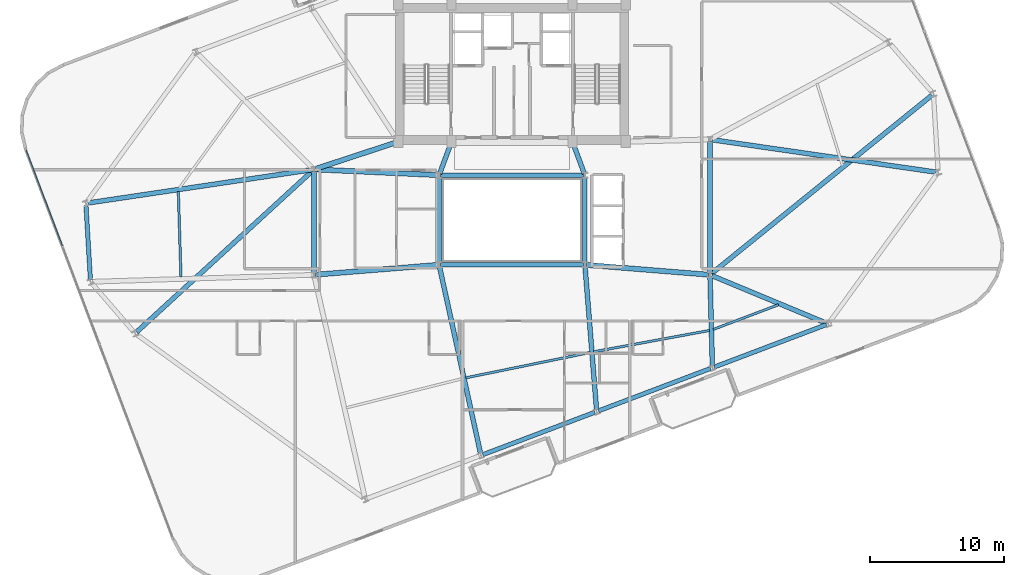
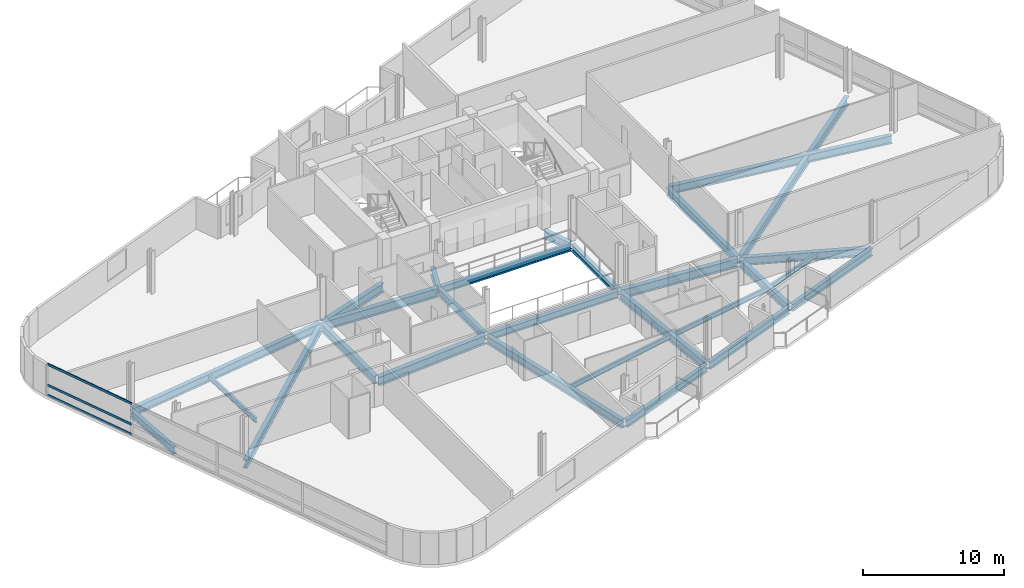
# One storey, part 7 of 19: 28 beams, 3 members, 1 element without a shape of its own.
"""IFC4 building model written with IfcOpenShell, lengths in metres."""

from ifc_helpers import new_model, si_unit, direction, frame, origin, origin_2d, place, context, subcontext, project, spatial, hollow_rectangle, i_section, extrude, material, layer, layer_set, material_profile, profile_set, type_object, element, aggregate, save


model = new_model("IFC4")

# Units and contexts
model_context = context("Model", 3, precision=1e-05, world=origin(), true_north=direction((0.0, 1.0)))
body_context = subcontext(model_context, "Body", "Model", "MODEL_VIEW")
ifc_project = project(units=[si_unit("LENGTHUNIT", "METRE"), si_unit("AREAUNIT", "SQUARE_METRE"), si_unit("VOLUMEUNIT", "CUBIC_METRE"), si_unit("PLANEANGLEUNIT", "RADIAN"), si_unit("MASSUNIT", "GRAM", prefix="KILO")], contexts=[model_context])

# Site, building, storey
site_placement = place(None, origin())
site = spatial("IfcSite", under=ifc_project, at=site_placement, CompositionType="ELEMENT")
building_placement = place(site_placement, origin())
building = spatial("IfcBuilding", under=site, at=building_placement, Name="Varnelok Gate Tower", CompositionType="ELEMENT")
storey_placement = place(building_placement, frame((0.0, 0.0, 231.199951171875)))
storey = spatial("IfcBuildingStorey", under=building, at=storey_placement, Name="L59", CompositionType="ELEMENT", Elevation=231.199951171875)

# Beams
ifc_material_1 = material(Name="Structural Steel ASTM A992 Grade 50", Category="steel")
ifc_material_profile_1 = material_profile(ifc_material_1, i_section(OverallWidth=0.180908203125, OverallDepth=0.4169921875, WebThickness=0.010986328125, FlangeThickness=0.018310546875, FilletRadius=0.013916015625, at=origin_2d()), Name="W16X57")
ifc_profile_set_1 = profile_set([ifc_material_profile_1], Name="Structural Steel ASTM A992 Grade 50")
beam_type_1 = type_object("IfcBeamType", Name="BM-JST-W16X57", PredefinedType="JOIST", material=ifc_profile_set_1)
beam_1_placement = place(storey_placement, frame((35.74951171875, 11.10107421875, -0.45849609375), z_axis=(0.979856858687, 0.199701117883, 0.0), x_axis=(-0.199701117883, 0.979856858687, 0.0)))
element("IfcBeam", 1, at=beam_1_placement, inside=storey, type_object=beam_type_1, Name="L59 Sector Floor Joist 2", PredefinedType="JOIST", context=body_context, shape_type="SweptSolid", body=[
    extrude(i_section(OverallWidth=0.180908203125, OverallDepth=0.4169921875, WebThickness=0.010986328125, FlangeThickness=0.018310546875, FilletRadius=0.013916015625, at=origin_2d()), origin(), (0.0, 0.0, 1.0), 9.478271484375),
])
beam_2_placement = place(storey_placement, frame((45.3115234375, 13.047119140625, -0.45849609375), z_axis=(0.983469046403, 0.181076323042, 0.0), x_axis=(-0.181076323042, 0.983469046403, 0.0)))
element("IfcBeam", 2, at=beam_2_placement, inside=storey, type_object=beam_type_1, Name="L59 Sector Floor Joist 3", PredefinedType="JOIST", context=body_context, shape_type="SweptSolid", body=[
    extrude(i_section(OverallWidth=0.180908203125, OverallDepth=0.4169921875, WebThickness=0.010986328125, FlangeThickness=0.018310546875, FilletRadius=0.013916015625, at=origin_2d()), origin(), (0.0, 0.0, 1.0), 8.80419921875),
])
beam_3_placement = place(storey_placement, frame((54.239013671875, 14.71630859375, -0.45849609375), z_axis=(0.935214325346, 0.354082145368, 0.0), x_axis=(-0.354082145368, 0.935214325346, 0.0)))
element("IfcBeam", 3, at=beam_3_placement, inside=storey, type_object=beam_type_1, Name="L59 Sector Floor Joist 4", PredefinedType="JOIST", context=body_context, shape_type="SweptSolid", body=[
    extrude(i_section(OverallWidth=0.180908203125, OverallDepth=0.4169921875, WebThickness=0.010986328125, FlangeThickness=0.018310546875, FilletRadius=0.013916015625, at=origin_2d()), origin(), (0.0, 0.0, 1.0), 5.2236328125),
])
beam_4_placement = place(storey_placement, frame((14.256591796875, 25.03271484375, -0.45849609375), z_axis=(0.031103851158, -0.99951615817, 0.0), x_axis=(0.99951615817, 0.031103851158, 0.0)))
element("IfcBeam", 4, at=beam_4_placement, inside=storey, type_object=beam_type_1, Name="L59 Sector Floor Joist 11", PredefinedType="JOIST", context=body_context, shape_type="SweptSolid", body=[
    extrude(i_section(OverallWidth=0.180908203125, OverallDepth=0.4169921875, WebThickness=0.010986328125, FlangeThickness=0.018310546875, FilletRadius=0.013916015625, at=origin_2d()), origin(), (0.0, 0.0, 1.0), 6.405029296875),
])
ifc_material_profile_2 = material_profile(ifc_material_1, i_section(OverallWidth=0.35498046875, OverallDepth=0.696044921875, WebThickness=0.015380859375, FlangeThickness=0.02490234375, FilletRadius=0.02001953125, at=origin_2d()), Name="W27X146")
ifc_profile_set_2 = profile_set([ifc_material_profile_2], Name="Structural Steel ASTM A992 Grade 50")
beam_type_2 = type_object("IfcBeamType", Name="BM-PRI-W27X146", PredefinedType="BEAM", material=ifc_profile_set_2)
for number, where, z_axis, x_axis, name in (
    (5, (33.791748046875, 26.362548828125, -0.597900390625), (0.348719329408, 0.937227202602, 0.0), (-0.937227202602, 0.348719329408, 0.0), "L59 Core-Atrium Spine Beam 12"),
    (6, (44.608154296875, 26.362548828125, -0.597900390625), (-0.348719329408, 0.937227202602, 0.0), (-0.937227202602, -0.348719329408, 0.0), "L59 Core-Atrium Spine Beam 13"),
):
    element("IfcBeam", number, at=place(storey_placement, frame(where, z_axis=z_axis, x_axis=x_axis)), inside=storey, type_object=beam_type_2, Name=name, PredefinedType="BEAM", context=body_context, shape_type="SweptSolid", body=[
        extrude(i_section(OverallWidth=0.35498046875, OverallDepth=0.696044921875, WebThickness=0.015380859375, FlangeThickness=0.02490234375, FilletRadius=0.02001953125, at=origin_2d()), origin(), (0.0, 0.0, 1.0), 2.42724609375),
    ])
beam_5_placement = place(storey_placement, frame((24.39990234375, 18.919921875, -0.597900390625), z_axis=(0.0, 1.0, 0.0), x_axis=(-1.0, 0.0, 0.0)))
element("IfcBeam", 7, at=beam_5_placement, inside=storey, type_object=beam_type_2, Name="L59 Core-Atrium Spine Beam 16", PredefinedType="BEAM", context=body_context, shape_type="SweptSolid", body=[
    extrude(i_section(OverallWidth=0.35498046875, OverallDepth=0.696044921875, WebThickness=0.015380859375, FlangeThickness=0.02490234375, FilletRadius=0.02001953125, at=origin_2d()), origin(), (0.0, 0.0, 1.0), 7.64013671875),
])
beam_6_placement = place(storey_placement, frame((54.0, 18.919921875, -0.597900390625), z_axis=(0.0, 1.0, 0.0), x_axis=(-1.0, 0.0, 0.0)))
element("IfcBeam", 8, at=beam_6_placement, inside=storey, type_object=beam_type_2, Name="L59 Core-Atrium Spine Beam 20", PredefinedType="BEAM", context=body_context, shape_type="SweptSolid", body=[
    extrude(i_section(OverallWidth=0.35498046875, OverallDepth=0.696044921875, WebThickness=0.015380859375, FlangeThickness=0.02490234375, FilletRadius=0.02001953125, at=origin_2d()), origin(), (0.0, 0.0, 1.0), 9.880126953125),
])
beam_7_placement = place(storey_placement, frame((33.7822265625, 19.403564453125, -0.597900390625), z_axis=(0.214566745256, -0.976709328219, 0.0), x_axis=(0.976709328219, 0.214566745256, 0.0)))
element("IfcBeam", 9, at=beam_7_placement, inside=storey, type_object=beam_type_2, Name="L59 Radial Floor Girder 2", PredefinedType="BEAM", context=body_context, shape_type="SweptSolid", body=[
    extrude(i_section(OverallWidth=0.35498046875, OverallDepth=0.696044921875, WebThickness=0.015380859375, FlangeThickness=0.02490234375, FilletRadius=0.02001953125, at=origin_2d()), origin(), (0.0, 0.0, 1.0), 14.28662109375),
])
beam_8_placement = place(storey_placement, frame((44.662109375, 19.400390625, -0.597900390625), z_axis=(0.079989916961, -0.996795672736, 0.0), x_axis=(0.996795672736, 0.079989916961, 0.0)))
element("IfcBeam", 10, at=beam_8_placement, inside=storey, type_object=beam_type_2, Name="L59 Radial Floor Girder 3", PredefinedType="BEAM", context=body_context, shape_type="SweptSolid", body=[
    extrude(i_section(OverallWidth=0.35498046875, OverallDepth=0.696044921875, WebThickness=0.015380859375, FlangeThickness=0.02490234375, FilletRadius=0.02001953125, at=origin_2d()), origin(), (0.0, 0.0, 1.0), 10.70703125),
])
beam_9_placement = place(storey_placement, frame((54.00390625, 18.650146484375, -0.597900390625), z_axis=(0.026105842948, -0.999659184404, 0.0), x_axis=(0.999659184404, 0.026105842948, 0.0)))
element("IfcBeam", 11, at=beam_9_placement, inside=storey, type_object=beam_type_2, Name="L59 Radial Floor Girder 4", PredefinedType="BEAM", context=body_context, shape_type="SweptSolid", body=[
    extrude(i_section(OverallWidth=0.35498046875, OverallDepth=0.696044921875, WebThickness=0.015380859375, FlangeThickness=0.02490234375, FilletRadius=0.02001953125, at=origin_2d()), origin(), (0.0, 0.0, 1.0), 6.649169921875),
])
beam_10_placement = place(storey_placement, frame((54.138427734375, 18.742431640625, -0.597900390625), z_axis=(0.923393134815, -0.383855595995, 0.0), x_axis=(0.383855595995, 0.923393134815, 0.0)))
element("IfcBeam", 12, at=beam_10_placement, inside=storey, type_object=beam_type_2, Name="L59 Radial Floor Girder 5", PredefinedType="BEAM", context=body_context, shape_type="SweptSolid", body=[
    extrude(i_section(OverallWidth=0.35498046875, OverallDepth=0.696044921875, WebThickness=0.015380859375, FlangeThickness=0.02490234375, FilletRadius=0.02001953125, at=origin_2d()), origin(), (0.0, 0.0, 1.0), 9.264892578125),
])
beam_11_placement = place(storey_placement, frame((54.1484375, 28.8984375, -0.597900390625), z_axis=(0.989703475153, -0.143132914699, 0.0), x_axis=(0.143132914699, 0.989703475153, 0.0)))
element("IfcBeam", 13, at=beam_11_placement, inside=storey, type_object=beam_type_2, Name="L59 Radial Floor Girder 6", PredefinedType="BEAM", context=body_context, shape_type="SweptSolid", body=[
    extrude(i_section(OverallWidth=0.35498046875, OverallDepth=0.696044921875, WebThickness=0.015380859375, FlangeThickness=0.02490234375, FilletRadius=0.02001953125, at=origin_2d()), origin(), (0.0, 0.0, 1.0), 16.932373046875),
])
beam_12_placement = place(storey_placement, frame((54.11669921875, 18.894287109375, -0.597900390625), z_axis=(0.777332597566, 0.629089844745, 0.0), x_axis=(-0.629089844745, 0.777332597566, 0.0)))
element("IfcBeam", 14, at=beam_12_placement, inside=storey, type_object=beam_type_2, Name="L59 Radial Floor Girder 7", PredefinedType="BEAM", context=body_context, shape_type="SweptSolid", body=[
    extrude(i_section(OverallWidth=0.35498046875, OverallDepth=0.696044921875, WebThickness=0.015380859375, FlangeThickness=0.02490234375, FilletRadius=0.02001953125, at=origin_2d()), origin(), (0.0, 0.0, 1.0), 21.190673828125),
])
beam_13_placement = place(storey_placement, frame((24.251708984375, 26.657958984375, -0.597900390625), z_axis=(-0.989147373927, -0.146926759485, 0.0), x_axis=(0.146926759485, -0.989147373927, 0.0)))
element("IfcBeam", 15, at=beam_13_placement, inside=storey, type_object=beam_type_2, Name="L59 Radial Floor Girder 14", PredefinedType="BEAM", context=body_context, shape_type="SweptSolid", body=[
    extrude(i_section(OverallWidth=0.35498046875, OverallDepth=0.696044921875, WebThickness=0.015380859375, FlangeThickness=0.02490234375, FilletRadius=0.02001953125, at=origin_2d()), origin(), (0.0, 0.0, 1.0), 16.942138671875),
])
beam_14_placement = place(storey_placement, frame((24.289306640625, 26.57861328125, -0.597900390625), z_axis=(-0.737119491435, -0.675762425226, 0.0), x_axis=(0.675762425226, -0.737119491435, 0.0)))
element("IfcBeam", 16, at=beam_14_placement, inside=storey, type_object=beam_type_2, Name="L59 Radial Floor Girder 16", PredefinedType="BEAM", context=body_context, shape_type="SweptSolid", body=[
    extrude(i_section(OverallWidth=0.35498046875, OverallDepth=0.696044921875, WebThickness=0.015380859375, FlangeThickness=0.02490234375, FilletRadius=0.02001953125, at=origin_2d()), origin(), (0.0, 0.0, 1.0), 17.841796875),
])
ifc_material_profile_3 = material_profile(ifc_material_1, i_section(OverallWidth=0.381103515625, OverallDepth=0.77294921875, WebThickness=0.0166015625, FlangeThickness=0.027099609375, FilletRadius=0.02197265625, at=origin_2d()), Name="W30X173")
ifc_profile_set_3 = profile_set([ifc_material_profile_3], Name="Structural Steel ASTM A992 Grade 50")
beam_type_3 = type_object("IfcBeamType", Name="BM-PRI-W30X173", PredefinedType="BEAM", material=ifc_profile_set_3)
beam_15_placement = place(storey_placement, frame((24.51953125, 18.8095703125, -0.636474609375), z_axis=(0.996799206292, 0.07994587128, 0.0), x_axis=(-0.07994587128, 0.996799206292, 0.0)))
element("IfcBeam", 17, at=beam_15_placement, inside=storey, type_object=beam_type_3, Name="L59 Core-Atrium Spine Beam 14", PredefinedType="BEAM", context=body_context, shape_type="SweptSolid", body=[
    extrude(i_section(OverallWidth=0.381103515625, OverallDepth=0.77294921875, WebThickness=0.0166015625, FlangeThickness=0.027099609375, FilletRadius=0.02197265625, at=origin_2d()), origin(), (0.0, 0.0, 1.0), 9.14013671875),
])
beam_16_placement = place(storey_placement, frame((24.52001953125, 26.674560546875, -0.636474609375), z_axis=(0.99894427814, -0.045938319209, 0.0), x_axis=(0.045938319209, 0.99894427814, 0.0)))
element("IfcBeam", 18, at=beam_16_placement, inside=storey, type_object=beam_type_3, Name="L59 Core-Atrium Spine Beam 15", PredefinedType="BEAM", context=body_context, shape_type="SweptSolid", body=[
    extrude(i_section(OverallWidth=0.381103515625, OverallDepth=0.77294921875, WebThickness=0.0166015625, FlangeThickness=0.027099609375, FilletRadius=0.02197265625, at=origin_2d()), origin(), (0.0, 0.0, 1.0), 9.11962890625),
])
beam_17_placement = place(storey_placement, frame((24.513916015625, 26.717529296875, -0.636474609375), z_axis=(0.950041943788, 0.312122259768, 0.0), x_axis=(-0.312122259768, 0.950041943788, 0.0)))
element("IfcBeam", 19, at=beam_17_placement, inside=storey, type_object=beam_type_3, Name="L59 Core-Atrium Spine Beam 17", PredefinedType="BEAM", context=body_context, shape_type="SweptSolid", body=[
    extrude(i_section(OverallWidth=0.381103515625, OverallDepth=0.77294921875, WebThickness=0.0166015625, FlangeThickness=0.027099609375, FilletRadius=0.02197265625, at=origin_2d()), origin(), (0.0, 0.0, 1.0), 6.391357421875),
])
beam_18_placement = place(storey_placement, frame((44.76953125, 19.540283203125, -0.636474609375), z_axis=(0.996799206292, -0.07994587128, 0.0), x_axis=(0.07994587128, 0.996799206292, 0.0)))
element("IfcBeam", 20, at=beam_18_placement, inside=storey, type_object=beam_type_3, Name="L59 Core-Atrium Spine Beam 18", PredefinedType="BEAM", context=body_context, shape_type="SweptSolid", body=[
    extrude(i_section(OverallWidth=0.381103515625, OverallDepth=0.77294921875, WebThickness=0.0166015625, FlangeThickness=0.027099609375, FilletRadius=0.02197265625, at=origin_2d()), origin(), (0.0, 0.0, 1.0), 9.14013671875),
])
ifc_material_profile_4 = material_profile(ifc_material_1, i_section(OverallWidth=0.323974609375, OverallDepth=0.611083984375, WebThickness=0.0126953125, FlangeThickness=0.01904296875, FilletRadius=0.01806640625, at=origin_2d()), Name="W24X104")
ifc_profile_set_4 = profile_set([ifc_material_profile_4], Name="Structural Steel ASTM A992 Grade 50")
beam_type_4 = type_object("IfcBeamType", Name="BM-SPN-W24X104", PredefinedType="SPANDREL", material=ifc_profile_set_4)
for number, where, z_axis, x_axis, name in (
    (21, (33.8701171875, 19.550048828125, -0.555419921875), (1.0, 0.0, 0.0), (0.0, 1.0, 0.0), "L59 Core-Atrium Spine Beam 8"),
    (22, (33.8701171875, 26.25, -0.555419921875), (1.0, 0.0, 0.0), (0.0, 1.0, 0.0), "L59 Core-Atrium Spine Beam 9"),
):
    element("IfcBeam", number, at=place(storey_placement, frame(where, z_axis=z_axis, x_axis=x_axis)), inside=storey, type_object=beam_type_4, Name=name, PredefinedType="SPANDREL", context=body_context, shape_type="SweptSolid", body=[
        extrude(i_section(OverallWidth=0.323974609375, OverallDepth=0.611083984375, WebThickness=0.0126953125, FlangeThickness=0.01904296875, FilletRadius=0.01806640625, at=origin_2d()), origin(), (0.0, 0.0, 1.0), 10.659912109375),
    ])
for number, where, z_axis, x_axis, name in (
    (23, (33.75, 19.669921875, -0.555419921875), (0.0, 1.0, 0.0), (-1.0, 0.0, 0.0), "L59 Core-Atrium Spine Beam 10"),
    (24, (44.64990234375, 19.669921875, -0.555419921875), (0.0, 1.0, 0.0), (-1.0, 0.0, 0.0), "L59 Core-Atrium Spine Beam 11"),
):
    element("IfcBeam", number, at=place(storey_placement, frame(where, z_axis=z_axis, x_axis=x_axis)), inside=storey, type_object=beam_type_4, Name=name, PredefinedType="SPANDREL", context=body_context, shape_type="SweptSolid", body=[
        extrude(i_section(OverallWidth=0.323974609375, OverallDepth=0.611083984375, WebThickness=0.0126953125, FlangeThickness=0.01904296875, FilletRadius=0.01806640625, at=origin_2d()), origin(), (0.0, 0.0, 1.0), 6.4599609375),
    ])
beam_19_placement = place(storey_placement, frame((37.02001953125, 5.356201171875, -0.555419921875), z_axis=(0.935220356141, 0.354066216208, 0.0), x_axis=(-0.354066216208, 0.935220356141, 0.0)))
element("IfcBeam", 25, at=beam_19_placement, inside=storey, type_object=beam_type_4, Name="L59 Perimeter Spandrel Beam 2", PredefinedType="SPANDREL", context=body_context, shape_type="SweptSolid", body=[
    extrude(i_section(OverallWidth=0.323974609375, OverallDepth=0.611083984375, WebThickness=0.0126953125, FlangeThickness=0.01904296875, FilletRadius=0.01806640625, at=origin_2d()), origin(), (0.0, 0.0, 1.0), 8.9501953125),
])
for number, where, z_axis, x_axis, name in (
    (26, (45.6708984375, 8.63134765625, -0.555419921875), (0.935216936382, 0.354075248928, 0.0), (-0.354075248928, 0.935216936382, 0.0), "L59 Perimeter Spandrel Beam 3"),
    (27, (54.32177734375, 11.906494140625, -0.555419921875), (0.935225969099, 0.354051389947, 0.0), (-0.354051389947, 0.935225969099, 0.0), "L59 Perimeter Spandrel Beam 4"),
):
    element("IfcBeam", number, at=place(storey_placement, frame(where, z_axis=z_axis, x_axis=x_axis)), inside=storey, type_object=beam_type_4, Name=name, PredefinedType="SPANDREL", context=body_context, shape_type="SweptSolid", body=[
        extrude(i_section(OverallWidth=0.323974609375, OverallDepth=0.611083984375, WebThickness=0.0126953125, FlangeThickness=0.01904296875, FilletRadius=0.01806640625, at=origin_2d()), origin(), (0.0, 0.0, 1.0), 8.949951171875),
    ])
beam_20_placement = place(storey_placement, frame((7.353759765625, 23.996826171875, -0.555419921875), z_axis=(0.059497061762, -0.99822848068, 0.0), x_axis=(0.99822848068, 0.059497061762, 0.0)))
element("IfcBeam", 28, at=beam_20_placement, inside=storey, type_object=beam_type_4, Name="L59 Perimeter Spandrel Beam 14", PredefinedType="SPANDREL", context=body_context, shape_type="SweptSolid", body=[
    extrude(i_section(OverallWidth=0.323974609375, OverallDepth=0.611083984375, WebThickness=0.0126953125, FlangeThickness=0.01904296875, FilletRadius=0.01806640625, at=origin_2d()), origin(), (0.0, 0.0, 1.0), 5.576416015625),
])

# Curtain wall, members
ifc_material_2 = material(Name="Anodized Aluminum Alloy 6063-T6", Category="aluminium")
ifc_layer = layer(ifc_material_2, 0.179931640625)
ifc_layer_set = layer_set([ifc_layer], Name="Anodized Aluminum Alloy 6063-T6")
curtain_wall_type = type_object("IfcCurtainWallType", Name="CW4-RESIDENCE-VISION", PredefinedType="USERDEFINED", material=ifc_layer_set)
curtain_wall_placement = place(storey_placement, origin())
curtain_wall = element("IfcCurtainWall", 29, at=curtain_wall_placement, inside=storey, type_object=curtain_wall_type, Name="L59 West End Vision Curtain Wall", ObjectType="UNITISED CURTAIN WALL", PredefinedType="USERDEFINED")
ifc_material_profile_5 = material_profile(ifc_material_2, hollow_rectangle(XDim=0.074951171875, YDim=0.199951171875, WallThickness=0.00390625, at=origin_2d()), Name="ALU200X75X4")
ifc_profile_set_5 = profile_set([ifc_material_profile_5], Name="Anodized Aluminum Alloy 6063-T6")
member_type = type_object("IfcMemberType", Name="CW-TRAN-200", PredefinedType="USERDEFINED", material=ifc_profile_set_5)
member_1_placement = place(storey_placement, frame((5.60009765625, 20.9599609375, 0.03759765625), z_axis=(-0.354073041953, 0.935217771945, 0.0), x_axis=(-0.935217771945, -0.354073041953, 0.0)))
member_1 = element("IfcMember", 30, at=member_1_placement, type_object=member_type, Name="CW4 transom 4.1", ObjectType="TRANSOM", PredefinedType="USERDEFINED", context=body_context, shape_type="SweptSolid", body=[
    extrude(hollow_rectangle(XDim=0.074951171875, YDim=0.199951171875, WallThickness=0.00390625, at=origin_2d()), origin(), (0.0, 0.0, 1.0), 7.6875),
])
member_2_placement = place(storey_placement, frame((5.60009765625, 20.9599609375, 0.900146484375), z_axis=(-0.354073041953, 0.935217771945, 0.0), x_axis=(-0.935217771945, -0.354073041953, 0.0)))
member_2 = element("IfcMember", 31, at=member_2_placement, type_object=member_type, Name="CW4 transom 4.2", ObjectType="TRANSOM", PredefinedType="USERDEFINED", context=body_context, shape_type="SweptSolid", body=[
    extrude(hollow_rectangle(XDim=0.074951171875, YDim=0.199951171875, WallThickness=0.00390625, at=origin_2d()), origin(), (0.0, 0.0, 1.0), 7.6875),
])
member_3_placement = place(storey_placement, frame((5.60009765625, 20.9599609375, 2.692626953125), z_axis=(-0.354073041953, 0.935217771945, 0.0), x_axis=(-0.935217771945, -0.354073041953, 0.0)))
member_3 = element("IfcMember", 32, at=member_3_placement, type_object=member_type, Name="CW4 transom 4.3", ObjectType="TRANSOM", PredefinedType="USERDEFINED", context=body_context, shape_type="SweptSolid", body=[
    extrude(hollow_rectangle(XDim=0.074951171875, YDim=0.199951171875, WallThickness=0.00390625, at=origin_2d()), origin(), (0.0, 0.0, 1.0), 7.6875),
])
aggregate(curtain_wall, [member_1, member_2, member_3])

save(model, "model.ifc")
